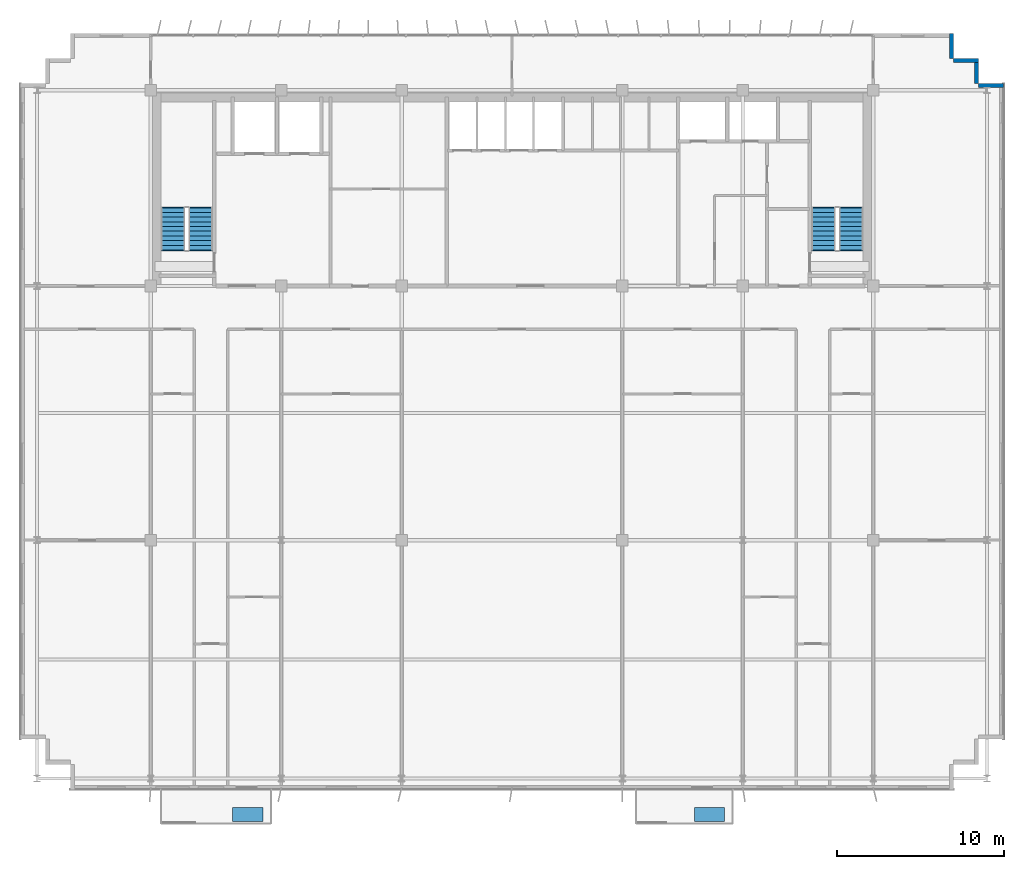
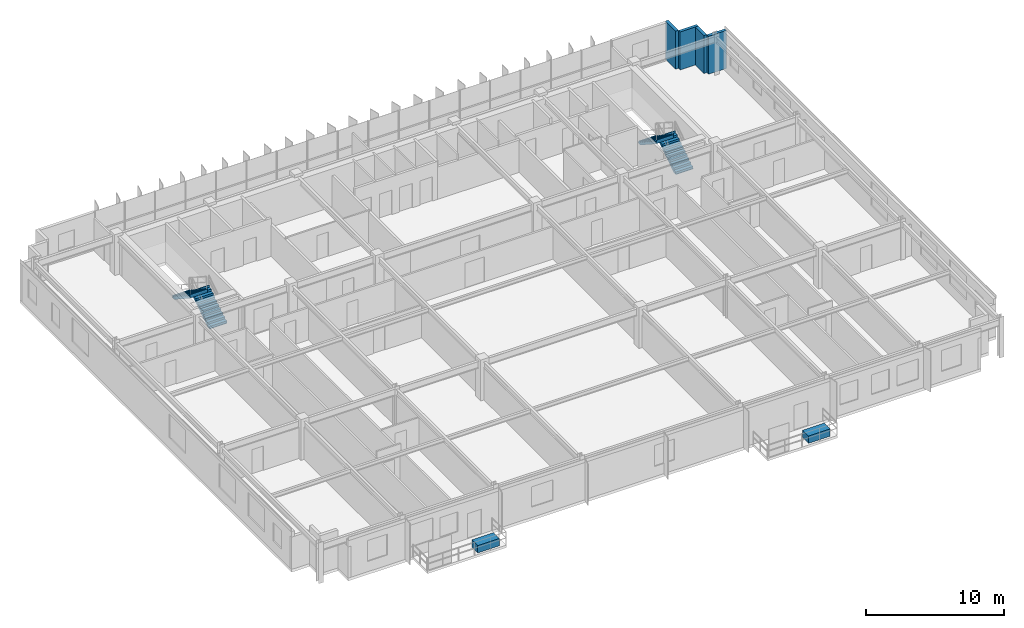
# One storey, part 18 of 20: 4 stair flights, 4 walls, 2 discrete accessories, 2 elements without a shape of their own.
"""IFC4 building model written with IfcOpenShell, lengths in metres."""

from ifc_helpers import new_model, si_unit, direction, frame, frame_2d, origin, origin_2d, place, context, subcontext, project, spatial, polyline, rectangle, outline, extrude, source, transform, mapped, material, layer, layer_set, type_object, element, aggregate, save


model = new_model("IFC4")

# Units and contexts
model_context = context("Model", 3, precision=1e-05, world=origin(), true_north=direction((0.0, 1.0)))
body_context = subcontext(model_context, "Body", "Model", "MODEL_VIEW")
ifc_project = project(units=[si_unit("LENGTHUNIT", "METRE"), si_unit("AREAUNIT", "SQUARE_METRE"), si_unit("VOLUMEUNIT", "CUBIC_METRE"), si_unit("PLANEANGLEUNIT", "RADIAN"), si_unit("MASSUNIT", "GRAM", prefix="KILO")], contexts=[model_context])

# Site, building, storey
site_placement = place(None, origin())
site = spatial("IfcSite", under=ifc_project, at=site_placement, CompositionType="ELEMENT")
building_placement = place(site_placement, origin())
building = spatial("IfcBuilding", under=site, at=building_placement, Name="Trelvane Seafront Commons", CompositionType="ELEMENT")
storey_placement = place(building_placement, frame((0.0, 0.0, 150.10009765625)))
storey = spatial("IfcBuildingStorey", under=building, at=storey_placement, Name="L39", CompositionType="ELEMENT", Elevation=150.10009765625)

# Walls
ifc_material_1 = material(Name="Precast concrete C40/50", Category="concrete")
ifc_layer = layer(ifc_material_1, 0.239990234375, Name="ARCH-WALL-EXT240")
ifc_layer_set = layer_set([ifc_layer], Name="Precast concrete C40/50")
wall_type = type_object("IfcWallType", Name="ARCH-WALL-EXT240", PredefinedType="SOLIDWALL", material=ifc_layer_set)
for number, where, z_axis, x_axis, name in (
    (1, (63.47998046875, 48.5, 0.0), (0.0, 0.0, 1.0), (0.0, -1.0, 0.0), "EW-L39-00768"),
    (2, (63.60009765625, 46.8798828125, 0.0), (0.0, 0.0, 1.0), (1.0, 0.0, 0.0), "EW-L39-00769"),
    (3, (64.97998046875, 47.0, 0.0), (0.0, 0.0, 1.0), (0.0, -1.0, 0.0), "EW-L39-00770"),
    (4, (65.10009765625, 45.3798828125, 0.0), (0.0, 0.0, 1.0), (1.0, 0.0, 0.0), "EW-L39-00771"),
):
    element("IfcWall", number, at=place(storey_placement, frame(where, z_axis=z_axis, x_axis=x_axis)), inside=storey, type_object=wall_type, Name=name, PredefinedType="SOLIDWALL", context=body_context, shape_type="SweptSolid", body=[
        extrude(rectangle(XDim=1.5, YDim=0.239990234375, at=frame_2d((0.75, 0.0))), origin(), (0.0, 0.0, 1.0), 3.349853515625),
    ])

# Stair, stair flights
ifc_material_2 = material(Name="Concrete C40/50", Category="concrete")
stair_type_1 = type_object("IfcStairType", Name="ARCH-STR-ST-1-R20-180", PredefinedType="HALF_TURN_STAIR", material=ifc_material_2)
stair_1_placement = place(storey_placement, origin())
stair_1 = element("IfcStair", 5, at=stair_1_placement, inside=storey, type_object=stair_type_1, Name="L39 West Protected Firefighting Exit Stair ST-1", PredefinedType="HALF_TURN_STAIR")
stair_flight_type_1 = type_object("IfcStairFlightType", Name="ARCH-FLG-ST-1-R20-180", PredefinedType="STRAIGHT", material=ifc_material_2)
shared_shape_1 = source(origin(), body_context, "Body", "SweptSolid", [
    extrude(outline(polyline([(-0.050048828125, -0.02001953125), (-0.050048828125, 0.0), (0.0, 0.0), (0.0, 0.179931640625), (0.280029296875, 0.179931640625), (0.280029296875, 0.360107421875), (0.56005859375, 0.360107421875), (0.56005859375, 0.5400390625), (0.840087890625, 0.5400390625), (0.840087890625, 0.719970703125), (1.1201171875, 0.719970703125), (1.1201171875, 0.89990234375), (1.39990234375, 0.89990234375), (1.39990234375, 1.080078125), (1.679931640625, 1.080078125), (1.679931640625, 1.260009765625), (1.9599609375, 1.260009765625), (1.9599609375, 1.43994140625), (2.239990234375, 1.43994140625), (2.239990234375, 1.6201171875), (2.52001953125, 1.6201171875), (2.52001953125, 1.800048828125), (2.570068359375, 1.800048828125), (2.570068359375, 1.650146484375), (2.52001953125, 1.44189453125), (0.277099609375, -0.02001953125), (-0.050048828125, -0.02001953125)])), frame((0.0, 0.72509765625, 0.0), z_axis=(0.0, -1.0, 0.0), x_axis=(1.0, 0.0, 0.0)), (0.0, 0.0, 1.0), 1.449951171875),
])
stair_flight_1_placement = place(storey_placement, frame((18.574951171875, 35.550048828125, 0.0), z_axis=(0.0, 0.0, 1.0), x_axis=(0.0, 1.0, 0.0)))
stair_flight_1 = element("IfcStairFlight", 6, at=stair_flight_1_placement, type_object=stair_flight_type_1, Name="ST-1 flight 1", NumberOfRisers=10, NumberOfTreads=9, PredefinedType="STRAIGHT", RiserHeight=0.18, TreadLength=0.28, context=body_context, shape_type="MappedRepresentation", body=[
    mapped(shared_shape_1, transform((0.0, 0.0, 0.0), x_axis=(1.0, 0.0, 0.0), y_axis=(0.0, 1.0, 0.0), z_axis=(0.0, 0.0, 1.0), scale=1.0)),
])
stair_flight_2_placement = place(storey_placement, frame((16.925048828125, 38.070068359375, 1.7998046875), z_axis=(0.0, 0.0, 1.0), x_axis=(0.0, -1.0, 0.0)))
stair_flight_2 = element("IfcStairFlight", 7, at=stair_flight_2_placement, type_object=stair_flight_type_1, Name="ST-1 flight 2", NumberOfRisers=10, NumberOfTreads=9, PredefinedType="STRAIGHT", RiserHeight=0.18, TreadLength=0.28, context=body_context, shape_type="MappedRepresentation", body=[
    mapped(shared_shape_1, transform((0.0, 0.0, 0.0), x_axis=(1.0, 0.0, 0.0), y_axis=(0.0, 1.0, 0.0), z_axis=(0.0, 0.0, 1.0), scale=1.0)),
])
aggregate(stair_1, [stair_flight_1, stair_flight_2])

stair_type_2 = type_object("IfcStairType", Name="ARCH-STR-ST-2-R20-180", PredefinedType="HALF_TURN_STAIR", material=ifc_material_2)
stair_2_placement = place(storey_placement, origin())
stair_2 = element("IfcStair", 8, at=stair_2_placement, inside=storey, type_object=stair_type_2, Name="L39 East Protected Firefighting Exit Stair ST-2", PredefinedType="HALF_TURN_STAIR")
stair_flight_type_2 = type_object("IfcStairFlightType", Name="ARCH-FLG-ST-2-R20-180", PredefinedType="STRAIGHT", material=ifc_material_2)
stair_flight_3_placement = place(storey_placement, frame((57.47509765625, 35.550048828125, 0.0), z_axis=(0.0, 0.0, 1.0), x_axis=(0.0, 1.0, 0.0)))
stair_flight_3 = element("IfcStairFlight", 9, at=stair_flight_3_placement, type_object=stair_flight_type_2, Name="ST-2 flight 1", NumberOfRisers=10, NumberOfTreads=9, PredefinedType="STRAIGHT", RiserHeight=0.18, TreadLength=0.28, context=body_context, shape_type="MappedRepresentation", body=[
    mapped(shared_shape_1, transform((0.0, 0.0, 0.0), x_axis=(1.0, 0.0, 0.0), y_axis=(0.0, 1.0, 0.0), z_axis=(0.0, 0.0, 1.0), scale=1.0)),
])
stair_flight_4_placement = place(storey_placement, frame((55.824951171875, 38.070068359375, 1.7998046875), z_axis=(0.0, 0.0, 1.0), x_axis=(0.0, -1.0, 0.0)))
stair_flight_4 = element("IfcStairFlight", 10, at=stair_flight_4_placement, type_object=stair_flight_type_2, Name="ST-2 flight 2", NumberOfRisers=10, NumberOfTreads=9, PredefinedType="STRAIGHT", RiserHeight=0.18, TreadLength=0.28, context=body_context, shape_type="MappedRepresentation", body=[
    mapped(shared_shape_1, transform((0.0, 0.0, 0.0), x_axis=(1.0, 0.0, 0.0), y_axis=(0.0, 1.0, 0.0), z_axis=(0.0, 0.0, 1.0), scale=1.0)),
])
aggregate(stair_2, [stair_flight_3, stair_flight_4])

# Discrete accessories
discrete_accessory_type = type_object("IfcDiscreteAccessoryType", Name="ARCH-ACC-PLANTER", PredefinedType="USERDEFINED", material=ifc_material_1)
shared_shape_2 = source(origin(), body_context, "Body", "SweptSolid", [
    extrude(rectangle(XDim=1.800048828125, YDim=0.85009765625, at=origin_2d()), origin(), (0.0, 0.0, 1.0), 0.64990234375),
])
for number, where, z_axis, x_axis, name in (
    (11, (21.39990234375, 1.800048828125, 0.0), (0.0, 0.0, 1.0), (1.0, 0.0, 0.0), "PLN-L39-B0-044"),
    (12, (49.0, 1.800048828125, 0.0), (0.0, 0.0, 1.0), (1.0, 0.0, 0.0), "PLN-L39-B1-045"),
):
    element("IfcDiscreteAccessory", number, at=place(storey_placement, frame(where, z_axis=z_axis, x_axis=x_axis)), inside=storey, type_object=discrete_accessory_type, Name=name, ObjectType="BALCONY TREE PLANTER", PredefinedType="USERDEFINED", context=body_context, shape_type="MappedRepresentation", body=[
        mapped(shared_shape_2, transform((0.0, 0.0, 0.0), x_axis=(1.0, 0.0, 0.0), y_axis=(0.0, 1.0, 0.0), z_axis=(0.0, 0.0, 1.0), scale=1.0)),
    ])

save(model, "model.ifc")
